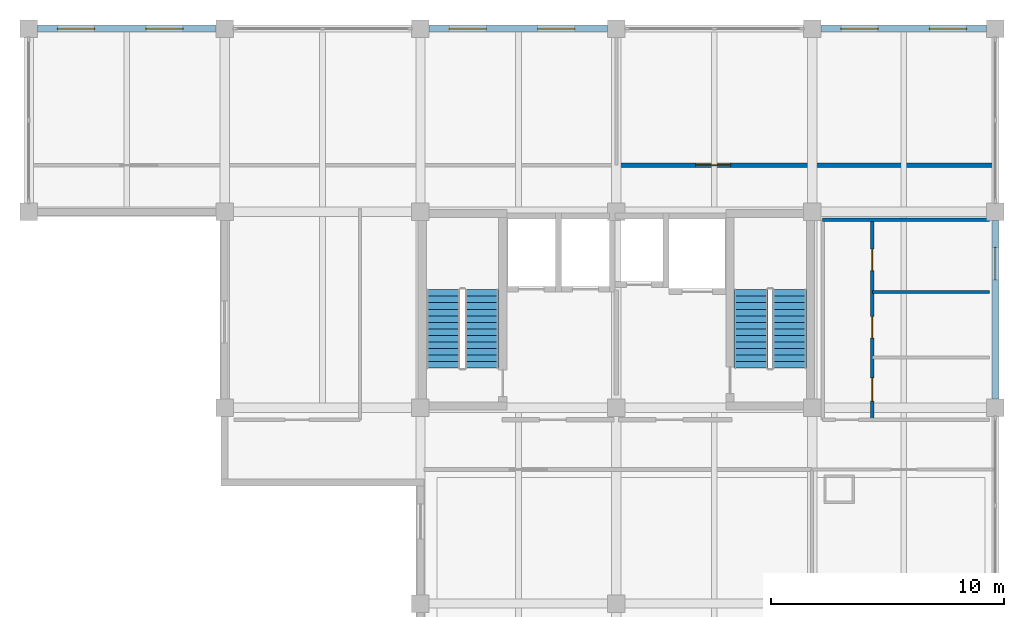
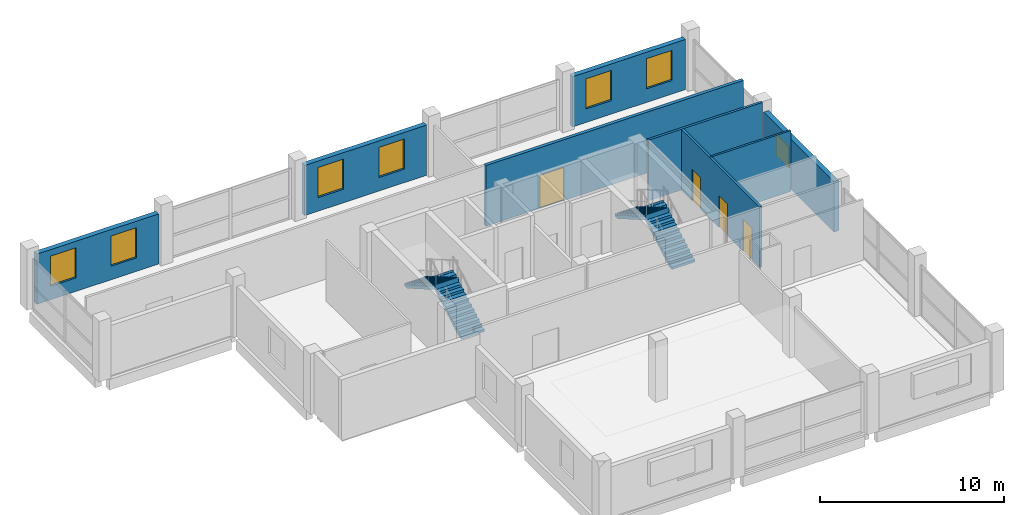
# One storey, part 8 of 9: 8 walls, 7 windows, 4 doors, 4 stair flights, 11 openings, 2 elements without a shape of their own.
"""IFC4 building model written with IfcOpenShell, lengths in metres."""

from ifc_helpers import new_model, si_unit, direction, frame, frame_2d, origin, place, context, subcontext, project, spatial, polyline, rectangle, outline, extrude, material, layer, layer_set, type_object, element, fill, aggregate, save


model = new_model("IFC4")

# Units and contexts
model_context = context("Model", 3, precision=1e-05, world=origin(), true_north=direction((0.0, 1.0)))
body_context = subcontext(model_context, "Body", "Model", "MODEL_VIEW")
ifc_project = project(units=[si_unit("LENGTHUNIT", "METRE"), si_unit("AREAUNIT", "SQUARE_METRE"), si_unit("VOLUMEUNIT", "CUBIC_METRE"), si_unit("PLANEANGLEUNIT", "RADIAN"), si_unit("MASSUNIT", "GRAM", prefix="KILO")], contexts=[model_context])

# Site, building, storey
site_placement = place(None, origin())
site = spatial("IfcSite", under=ifc_project, at=site_placement, CompositionType="ELEMENT")
building_placement = place(site_placement, origin())
building = spatial("IfcBuilding", under=site, at=building_placement, Name="Brinegate Botanical Conservatory", CompositionType="ELEMENT")
storey_placement = place(building_placement, frame((0.0, 0.0, 48.60009765625)))
storey = spatial("IfcBuildingStorey", under=building, at=storey_placement, Name="L12", CompositionType="ELEMENT", Elevation=48.60009765625)

# Wall, openings, windows
ifc_material_1 = material(Name="Insulated Minnan red clay brick masonry", Category="masonry")
ifc_layer_1 = layer(ifc_material_1, 0.300048828125, Name="Insulated Minnan red clay brick masonry", Category="masonry")
ifc_layer_set_1 = layer_set([ifc_layer_1], Name="Insulated Minnan red clay brick masonry")
wall_type_1 = type_object("IfcWallType", Name="Wall_EW-300B", PredefinedType="STANDARD", material=ifc_layer_set_1)
wall_1_placement = place(storey_placement, frame((122.375, 111.449951171875, 0.0), z_axis=(0.0, 0.0, 1.0), x_axis=(1.0, 0.0, 0.0)))
wall_1 = element("IfcWall", 1, at=wall_1_placement, inside=storey, type_object=wall_type_1, Name="Research lab north brick wall L12.1", PredefinedType="STANDARD", context=body_context, shape_type="SweptSolid", body=[
    extrude(rectangle(XDim=7.64990234375, YDim=0.300048828125, at=frame_2d((3.824951171875, 0.0))), origin(), (0.0, 0.0, 1.0), 3.329833984375),
])
opening_1_placement = place(wall_1_placement, frame((0.85009765625, 0.0, 0.89990234375)))
opening_1 = element("IfcOpeningElement", 2, at=opening_1_placement, cuts=wall_1, Name="Opening WN-12", PredefinedType="OPENING", context=body_context, shape_type="SweptSolid", body=[
    extrude(rectangle(XDim=1.60009765625, YDim=2.0, at=frame_2d((0.800048828125, 1.0))), frame((0.0, 0.159912109375, 0.0), z_axis=(0.0, -1.0, 0.0), x_axis=(1.0, 0.0, 0.0)), (0.0, 0.0, 1.0), 0.320068359375),
])
opening_2_placement = place(wall_1_placement, frame((4.64990234375, 0.0, 0.89990234375)))
opening_2 = element("IfcOpeningElement", 3, at=opening_2_placement, cuts=wall_1, Name="Opening WN-12", PredefinedType="OPENING", context=body_context, shape_type="SweptSolid", body=[
    extrude(rectangle(XDim=1.60009765625, YDim=2.0, at=frame_2d((0.800048828125, 1.0))), frame((0.0, 0.159912109375, 0.0), z_axis=(0.0, -1.0, 0.0), x_axis=(1.0, 0.0, 0.0)), (0.0, 0.0, 1.0), 0.320068359375),
])
ifc_material_2 = material(Name="Thermally broken aluminium-framed Low-E glass", Category="aluminium")
window_type_1 = type_object("IfcWindowType", Name="Win_WN-12", PartitioningType="DOUBLE_PANEL_VERTICAL", PredefinedType="WINDOW", material=ifc_material_2)
window_1_placement = place(opening_1_placement, origin())
window_1 = element("IfcWindow", 4, at=window_1_placement, inside=storey, type_object=window_type_1, Name="Research lab north window L12.1A", OverallHeight=2.0, OverallWidth=1.60009765625, PartitioningType="DOUBLE_PANEL_VERTICAL", PredefinedType="WINDOW", context=body_context, shape_type="SweptSolid", body=[
    extrude(rectangle(XDim=1.60009765625, YDim=2.0, at=frame_2d((0.800048828125, 1.0))), frame((0.0, 0.030029296875, 0.0), z_axis=(0.0, -1.0, 0.0), x_axis=(1.0, 0.0, 0.0)), (0.0, 0.0, 1.0), 0.06005859375),
])
fill(opening_1, window_1)
window_2_placement = place(opening_2_placement, origin())
window_2 = element("IfcWindow", 5, at=window_2_placement, inside=storey, type_object=window_type_1, Name="Research lab north window L12.1B", OverallHeight=2.0, OverallWidth=1.60009765625, PartitioningType="DOUBLE_PANEL_VERTICAL", PredefinedType="WINDOW", context=body_context, shape_type="SweptSolid", body=[
    extrude(rectangle(XDim=1.60009765625, YDim=2.0, at=frame_2d((0.800048828125, 1.0))), frame((0.0, 0.030029296875, 0.0), z_axis=(0.0, -1.0, 0.0), x_axis=(1.0, 0.0, 0.0)), (0.0, 0.0, 1.0), 0.06005859375),
])
fill(opening_2, window_2)

wall_2_placement = place(storey_placement, frame((139.175048828125, 111.449951171875, 0.0), z_axis=(0.0, 0.0, 1.0), x_axis=(1.0, 0.0, 0.0)))
wall_2 = element("IfcWall", 6, at=wall_2_placement, inside=storey, type_object=wall_type_1, Name="Research lab north brick wall L12.3", PredefinedType="STANDARD", context=body_context, shape_type="SweptSolid", body=[
    extrude(rectangle(XDim=7.64990234375, YDim=0.300048828125, at=frame_2d((3.824951171875, 0.0))), origin(), (0.0, 0.0, 1.0), 3.329833984375),
])
opening_3_placement = place(wall_2_placement, frame((0.85009765625, 0.0, 0.89990234375)))
opening_3 = element("IfcOpeningElement", 7, at=opening_3_placement, cuts=wall_2, Name="Opening WN-12", PredefinedType="OPENING", context=body_context, shape_type="SweptSolid", body=[
    extrude(rectangle(XDim=1.60009765625, YDim=2.0, at=frame_2d((0.800048828125, 1.0))), frame((0.0, 0.159912109375, 0.0), z_axis=(0.0, -1.0, 0.0), x_axis=(1.0, 0.0, 0.0)), (0.0, 0.0, 1.0), 0.320068359375),
])
opening_4_placement = place(wall_2_placement, frame((4.64990234375, 0.0, 0.89990234375)))
opening_4 = element("IfcOpeningElement", 8, at=opening_4_placement, cuts=wall_2, Name="Opening WN-12", PredefinedType="OPENING", context=body_context, shape_type="SweptSolid", body=[
    extrude(rectangle(XDim=1.60009765625, YDim=2.0, at=frame_2d((0.800048828125, 1.0))), frame((0.0, 0.159912109375, 0.0), z_axis=(0.0, -1.0, 0.0), x_axis=(1.0, 0.0, 0.0)), (0.0, 0.0, 1.0), 0.320068359375),
])
window_3_placement = place(opening_3_placement, origin())
window_3 = element("IfcWindow", 9, at=window_3_placement, inside=storey, type_object=window_type_1, Name="Research lab north window L12.3A", OverallHeight=2.0, OverallWidth=1.60009765625, PartitioningType="DOUBLE_PANEL_VERTICAL", PredefinedType="WINDOW", context=body_context, shape_type="SweptSolid", body=[
    extrude(rectangle(XDim=1.60009765625, YDim=2.0, at=frame_2d((0.800048828125, 1.0))), frame((0.0, 0.030029296875, 0.0), z_axis=(0.0, -1.0, 0.0), x_axis=(1.0, 0.0, 0.0)), (0.0, 0.0, 1.0), 0.06005859375),
])
fill(opening_3, window_3)
window_4_placement = place(opening_4_placement, origin())
window_4 = element("IfcWindow", 10, at=window_4_placement, inside=storey, type_object=window_type_1, Name="Research lab north window L12.3B", OverallHeight=2.0, OverallWidth=1.60009765625, PartitioningType="DOUBLE_PANEL_VERTICAL", PredefinedType="WINDOW", context=body_context, shape_type="SweptSolid", body=[
    extrude(rectangle(XDim=1.60009765625, YDim=2.0, at=frame_2d((0.800048828125, 1.0))), frame((0.0, 0.030029296875, 0.0), z_axis=(0.0, -1.0, 0.0), x_axis=(1.0, 0.0, 0.0)), (0.0, 0.0, 1.0), 0.06005859375),
])
fill(opening_4, window_4)

wall_3_placement = place(storey_placement, frame((155.97509765625, 111.449951171875, 0.0), z_axis=(0.0, 0.0, 1.0), x_axis=(1.0, 0.0, 0.0)))
wall_3 = element("IfcWall", 11, at=wall_3_placement, inside=storey, type_object=wall_type_1, Name="Research lab north brick wall L12.5", PredefinedType="STANDARD", context=body_context, shape_type="SweptSolid", body=[
    extrude(rectangle(XDim=7.099853515625, YDim=0.300048828125, at=frame_2d((3.5498046875, 0.0))), origin(), (0.0, 0.0, 1.0), 3.329833984375),
])
opening_5_placement = place(wall_3_placement, frame((0.85009765625, 0.0, 0.89990234375)))
opening_5 = element("IfcOpeningElement", 12, at=opening_5_placement, cuts=wall_3, Name="Opening WN-12", PredefinedType="OPENING", context=body_context, shape_type="SweptSolid", body=[
    extrude(rectangle(XDim=1.60009765625, YDim=2.0, at=frame_2d((0.800048828125, 1.0))), frame((0.0, 0.159912109375, 0.0), z_axis=(0.0, -1.0, 0.0), x_axis=(1.0, 0.0, 0.0)), (0.0, 0.0, 1.0), 0.320068359375),
])
opening_6_placement = place(wall_3_placement, frame((4.64990234375, 0.0, 0.89990234375)))
opening_6 = element("IfcOpeningElement", 13, at=opening_6_placement, cuts=wall_3, Name="Opening WN-12", PredefinedType="OPENING", context=body_context, shape_type="SweptSolid", body=[
    extrude(rectangle(XDim=1.60009765625, YDim=2.0, at=frame_2d((0.800048828125, 1.0))), frame((0.0, 0.159912109375, 0.0), z_axis=(0.0, -1.0, 0.0), x_axis=(1.0, 0.0, 0.0)), (0.0, 0.0, 1.0), 0.320068359375),
])
window_5_placement = place(opening_5_placement, origin())
window_5 = element("IfcWindow", 14, at=window_5_placement, inside=storey, type_object=window_type_1, Name="Research lab north window L12.5A", OverallHeight=2.0, OverallWidth=1.60009765625, PartitioningType="DOUBLE_PANEL_VERTICAL", PredefinedType="WINDOW", context=body_context, shape_type="SweptSolid", body=[
    extrude(rectangle(XDim=1.60009765625, YDim=2.0, at=frame_2d((0.800048828125, 1.0))), frame((0.0, 0.030029296875, 0.0), z_axis=(0.0, -1.0, 0.0), x_axis=(1.0, 0.0, 0.0)), (0.0, 0.0, 1.0), 0.06005859375),
])
fill(opening_5, window_5)
window_6_placement = place(opening_6_placement, origin())
window_6 = element("IfcWindow", 15, at=window_6_placement, inside=storey, type_object=window_type_1, Name="Research lab north window L12.5B", OverallHeight=2.0, OverallWidth=1.60009765625, PartitioningType="DOUBLE_PANEL_VERTICAL", PredefinedType="WINDOW", context=body_context, shape_type="SweptSolid", body=[
    extrude(rectangle(XDim=1.60009765625, YDim=2.0, at=frame_2d((0.800048828125, 1.0))), frame((0.0, 0.030029296875, 0.0), z_axis=(0.0, -1.0, 0.0), x_axis=(1.0, 0.0, 0.0)), (0.0, 0.0, 1.0), 0.06005859375),
])
fill(opening_6, window_6)

# Wall, opening, window
wall_4_placement = place(storey_placement, frame((163.449951171875, 103.22509765625, 0.0), z_axis=(0.0, 0.0, 1.0), x_axis=(0.0, -1.0, 0.0)))
wall_4 = element("IfcWall", 16, at=wall_4_placement, inside=storey, type_object=wall_type_1, Name="Tower east brick wall L12.3", PredefinedType="STANDARD", context=body_context, shape_type="SweptSolid", body=[
    extrude(rectangle(XDim=7.650146484375, YDim=0.300048828125, at=frame_2d((3.8251953125, 0.0))), origin(), (0.0, 0.0, 1.0), 3.329833984375),
])
opening_7_placement = place(wall_4_placement, frame((1.14990234375, 0.0, 1.10009765625)))
opening_7 = element("IfcOpeningElement", 17, at=opening_7_placement, cuts=wall_4, Name="Opening WN-16", PredefinedType="OPENING", context=body_context, shape_type="SweptSolid", body=[
    extrude(rectangle(XDim=1.39990234375, YDim=1.39990234375, at=frame_2d((0.699951171875, 0.699951171875))), frame((0.0, 0.159912109375, 0.0), z_axis=(0.0, -1.0, 0.0), x_axis=(1.0, 0.0, 0.0)), (0.0, 0.0, 1.0), 0.320068359375),
])
window_type_2 = type_object("IfcWindowType", Name="Win_WN-16", PartitioningType="SINGLE_PANEL", PredefinedType="WINDOW", material=ifc_material_2)
window_7_placement = place(opening_7_placement, origin())
window_7 = element("IfcWindow", 18, at=window_7_placement, inside=storey, type_object=window_type_2, Name="Tower east window L12.3", OverallHeight=1.39990234375, OverallWidth=1.39990234375, PartitioningType="SINGLE_PANEL", PredefinedType="WINDOW", context=body_context, shape_type="SweptSolid", body=[
    extrude(rectangle(XDim=1.39990234375, YDim=1.39990234375, at=frame_2d((0.699951171875, 0.699951171875))), frame((0.0, 0.030029296875, 0.0), z_axis=(0.0, -1.0, 0.0), x_axis=(1.0, 0.0, 0.0)), (0.0, 0.0, 1.0), 0.06005859375),
])
fill(opening_7, window_7)

# Wall
ifc_material_3 = material(Name="Gypsum-clad steel-stud partition", Category="steel")
ifc_layer_2 = layer(ifc_material_3, 0.1279296875, Name="Gypsum-clad steel-stud partition", Category="steel")
ifc_layer_set_2 = layer_set([ifc_layer_2], Name="Gypsum-clad steel-stud partition")
wall_type_2 = type_object("IfcWallType", Name="Wall_PW-128", PredefinedType="PARTITIONING", material=ifc_layer_set_2)
wall_5_placement = place(storey_placement, frame((158.179931640625, 100.14990234375, 0.0), z_axis=(0.0, 0.0, 1.0), x_axis=(1.0, 0.0, 0.0)))
element("IfcWall", 19, at=wall_5_placement, inside=storey, type_object=wall_type_2, Name="Interior partition P-L12-WCD-10015", PredefinedType="PARTITIONING", context=body_context, shape_type="SweptSolid", body=[
    extrude(rectangle(XDim=5.02001953125, YDim=0.1279296875, at=frame_2d((2.510009765625, 0.0))), origin(), (0.0, 0.0, 1.0), 4.02978515625),
])

# Wall, openings, doors
ifc_material_4 = material(Name="Moisture-resistant cement-board partition", Category="gypsum")
ifc_layer_3 = layer(ifc_material_4, 0.14990234375, Name="Moisture-resistant cement-board partition", Category="gypsum")
ifc_layer_set_3 = layer_set([ifc_layer_3], Name="Moisture-resistant cement-board partition")
wall_type_3 = type_object("IfcWallType", Name="Wall_PW-150W", PredefinedType="PARTITIONING", material=ifc_layer_set_3)
wall_6_placement = place(storey_placement, frame((158.179931640625, 94.679931640625, 0.0), z_axis=(0.0, 0.0, 1.0), x_axis=(0.0, 1.0, 0.0)))
wall_6 = element("IfcWall", 20, at=wall_6_placement, inside=storey, type_object=wall_type_3, Name="Interior partition P-L12-WCW", PredefinedType="PARTITIONING", context=body_context, shape_type="SweptSolid", body=[
    extrude(rectangle(XDim=8.570068359375, YDim=0.14990234375, at=frame_2d((4.28515625, 0.0))), origin(), (0.0, 0.0, 1.0), 4.02978515625),
])
opening_8_placement = place(wall_6_placement, frame((0.800048828125, 0.0, 0.0)))
opening_8 = element("IfcOpeningElement", 21, at=opening_8_placement, cuts=wall_6, Name="Opening DR-ACC", PredefinedType="OPENING", context=body_context, shape_type="SweptSolid", body=[
    extrude(rectangle(XDim=1.0, YDim=2.1201171875, at=frame_2d((0.5, 1.06005859375))), frame((0.0, 0.0849609375, 0.0), z_axis=(0.0, -1.0, 0.0), x_axis=(1.0, 0.0, 0.0)), (0.0, 0.0, 1.0), 0.169921875),
])
opening_9_placement = place(wall_6_placement, frame((3.5, 0.0, 0.0)))
opening_9 = element("IfcOpeningElement", 22, at=opening_9_placement, cuts=wall_6, Name="Opening DR-04", PredefinedType="OPENING", context=body_context, shape_type="SweptSolid", body=[
    extrude(rectangle(XDim=0.919921875, YDim=2.10009765625, at=frame_2d((0.4599609375, 1.050048828125))), frame((0.0, 0.0849609375, 0.0), z_axis=(0.0, -1.0, 0.0), x_axis=(1.0, 0.0, 0.0)), (0.0, 0.0, 1.0), 0.169921875),
])
opening_10_placement = place(wall_6_placement, frame((6.39990234375, 0.0, 0.0)))
opening_10 = element("IfcOpeningElement", 23, at=opening_10_placement, cuts=wall_6, Name="Opening DR-04", PredefinedType="OPENING", context=body_context, shape_type="SweptSolid", body=[
    extrude(rectangle(XDim=0.919921875, YDim=2.10009765625, at=frame_2d((0.4599609375, 1.050048828125))), frame((0.0, 0.0849609375, 0.0), z_axis=(0.0, -1.0, 0.0), x_axis=(1.0, 0.0, 0.0)), (0.0, 0.0, 1.0), 0.169921875),
])
ifc_material_5 = material(Name="Moisture-resistant laminate timber leaf", Category="wood")
door_type_1 = type_object("IfcDoorType", Name="Door_DR-04", OperationType="NOTDEFINED", PredefinedType="DOOR", material=ifc_material_5)
door_1_placement = place(opening_9_placement, origin())
door_1 = element("IfcDoor", 24, at=door_1_placement, inside=storey, type_object=door_type_1, Name="DR-P-L12-WCW-2", OperationType="SINGLE_SWING_RIGHT", OverallHeight=2.10009765625, OverallWidth=0.919921875, PredefinedType="DOOR", context=body_context, shape_type="SweptSolid", body=[
    extrude(rectangle(XDim=0.919921875, YDim=2.10009765625, at=frame_2d((0.4599609375, 1.050048828125))), frame((0.0, 0.02490234375, 0.0), z_axis=(0.0, -1.0, 0.0), x_axis=(1.0, 0.0, 0.0)), (0.0, 0.0, 1.0), 0.050048828125),
])
fill(opening_9, door_1)
door_2_placement = place(opening_10_placement, origin())
door_2 = element("IfcDoor", 25, at=door_2_placement, inside=storey, type_object=door_type_1, Name="DR-P-L12-WCW-3", OperationType="SINGLE_SWING_LEFT", OverallHeight=2.10009765625, OverallWidth=0.919921875, PredefinedType="DOOR", context=body_context, shape_type="SweptSolid", body=[
    extrude(rectangle(XDim=0.919921875, YDim=2.10009765625, at=frame_2d((0.4599609375, 1.050048828125))), frame((0.0, 0.02490234375, 0.0), z_axis=(0.0, -1.0, 0.0), x_axis=(1.0, 0.0, 0.0)), (0.0, 0.0, 1.0), 0.050048828125),
])
fill(opening_10, door_2)
ifc_material_6 = material(Name="Moisture-resistant barrier-free timber leaf", Category="wood")
door_type_2 = type_object("IfcDoorType", Name="Door_DR-ACC", OperationType="NOTDEFINED", PredefinedType="DOOR", material=ifc_material_6)
door_3_placement = place(opening_8_placement, origin())
door_3 = element("IfcDoor", 26, at=door_3_placement, inside=storey, type_object=door_type_2, Name="DR-P-L12-WCW-1", OperationType="SINGLE_SWING_LEFT", OverallHeight=2.1201171875, OverallWidth=1.0, PredefinedType="DOOR", context=body_context, shape_type="SweptSolid", body=[
    extrude(rectangle(XDim=1.0, YDim=2.1201171875, at=frame_2d((0.5, 1.06005859375))), frame((0.0, 0.02490234375, 0.0), z_axis=(0.0, -1.0, 0.0), x_axis=(1.0, 0.0, 0.0)), (0.0, 0.0, 1.0), 0.050048828125),
])
fill(opening_8, door_3)

# Wall
wall_7_placement = place(storey_placement, frame((156.050048828125, 103.25, 0.0), z_axis=(0.0, 0.0, 1.0), x_axis=(1.0, 0.0, 0.0)))
element("IfcWall", 27, at=wall_7_placement, inside=storey, type_object=wall_type_3, Name="Interior partition P-L12-WCN", PredefinedType="PARTITIONING", context=body_context, shape_type="SweptSolid", body=[
    extrude(rectangle(XDim=7.14990234375, YDim=0.14990234375, at=frame_2d((3.574951171875, 0.0))), origin(), (0.0, 0.0, 1.0), 4.02978515625),
])

# Wall, opening, door
ifc_material_7 = material(Name="Autoclaved aerated concrete C40/50 blockwork", Category="masonry")
ifc_layer_4 = layer(ifc_material_7, 0.199951171875, Name="Autoclaved aerated concrete C40/50 blockwork", Category="masonry")
ifc_layer_set_4 = layer_set([ifc_layer_4], Name="Autoclaved aerated concrete C40/50 blockwork")
wall_type_4 = type_object("IfcWallType", Name="Wall_PW-200F", PredefinedType="SOLIDWALL", material=ifc_layer_set_4)
wall_8_placement = place(storey_placement, frame((147.199951171875, 105.60009765625, 0.0), z_axis=(0.0, 0.0, 1.0), x_axis=(1.0, 0.0, 0.0)))
wall_8 = element("IfcWall", 28, at=wall_8_placement, inside=storey, type_object=wall_type_4, Name="Interior partition P-L12-NB-N2", PredefinedType="SOLIDWALL", context=body_context, shape_type="SweptSolid", body=[
    extrude(rectangle(XDim=16.150146484375, YDim=0.199951171875, at=frame_2d((8.0751953125, 0.0))), origin(), (0.0, 0.0, 1.0), 4.02978515625),
])
opening_11_placement = place(wall_8_placement, frame((3.39990234375, 0.0, 0.0)))
opening_11 = element("IfcOpeningElement", 29, at=opening_11_placement, cuts=wall_8, Name="Opening FD-A2", PredefinedType="OPENING", context=body_context, shape_type="SweptSolid", body=[
    extrude(rectangle(XDim=1.5, YDim=2.199951171875, at=frame_2d((0.75, 1.10009765625))), frame((0.0, 0.10986328125, 0.0), z_axis=(0.0, -1.0, 0.0), x_axis=(1.0, 0.0, 0.0)), (0.0, 0.0, 1.0), 0.219970703125),
])
ifc_material_8 = material(Name="Steel fire-rated double-leaf assembly", Category="steel")
door_type_3 = type_object("IfcDoorType", Name="Door_FD-A2", OperationType="NOTDEFINED", PredefinedType="DOOR", material=ifc_material_8)
door_4_placement = place(opening_11_placement, origin())
door_4 = element("IfcDoor", 30, at=door_4_placement, inside=storey, type_object=door_type_3, Name="DR-P-L12-NB-N2-1", OperationType="SINGLE_SWING_RIGHT", OverallHeight=2.199951171875, OverallWidth=1.5, PredefinedType="DOOR", context=body_context, shape_type="SweptSolid", body=[
    extrude(rectangle(XDim=1.5, YDim=2.199951171875, at=frame_2d((0.75, 1.10009765625))), frame((0.0, 0.02490234375, 0.0), z_axis=(0.0, -1.0, 0.0), x_axis=(1.0, 0.0, 0.0)), (0.0, 0.0, 1.0), 0.050048828125),
])
fill(opening_11, door_4)

# Stair, stair flights
ifc_material_9 = material(Name="Concrete C40/50", Category="concrete")
stair_type = type_object("IfcStairType", Name="Stair_HT-4200", PredefinedType="HALF_TURN_STAIR", material=ifc_material_9)
stair_1_placement = place(storey_placement, origin())
stair_1 = element("IfcStair", 31, at=stair_1_placement, inside=storey, type_object=stair_type, Name="L12 Tower West Smoke-Proof Stair ST1", PredefinedType="HALF_TURN_STAIR")
stair_flight_type = type_object("IfcStairFlightType", Name="Flight_SF-4200", PredefinedType="STRAIGHT", material=ifc_material_9)
stair_flight_1_placement = place(storey_placement, frame((141.425048828125, 96.89990234375, 0.0), z_axis=(0.0, 0.0, 1.0), x_axis=(0.0, 1.0, 0.0)))
stair_flight_1 = element("IfcStairFlight", 32, at=stair_flight_1_placement, type_object=stair_flight_type, Name="ST1 flight 1", NumberOfRisers=13, NumberOfTreads=12, PredefinedType="STRAIGHT", RiserHeight=0.161538462, TreadLength=0.28, context=body_context, shape_type="SweptSolid", body=[
    extrude(outline(polyline([(-0.00048828125, 0.0), (-0.00048828125, 0.16162109375), (0.280029296875, 0.16162109375), (0.280029296875, 0.322998046875), (0.56005859375, 0.322998046875), (0.56005859375, 0.484619140625), (0.840087890625, 0.484619140625), (0.840087890625, 0.646240234375), (1.1201171875, 0.646240234375), (1.1201171875, 0.8076171875), (1.39990234375, 0.8076171875), (1.39990234375, 0.96923828125), (1.679931640625, 0.96923828125), (1.679931640625, 1.130859375), (1.9599609375, 1.130859375), (1.9599609375, 1.292236328125), (2.239990234375, 1.292236328125), (2.239990234375, 1.453857421875), (2.52001953125, 1.453857421875), (2.52001953125, 1.615478515625), (2.800048828125, 1.615478515625), (2.800048828125, 1.77685546875), (3.080078125, 1.77685546875), (3.080078125, 1.9384765625), (3.360107421875, 1.9384765625), (3.360107421875, 2.10009765625), (3.360595703125, 2.10009765625), (3.360595703125, 1.765380859375), (0.300048828125, 0.0), (-0.00048828125, 0.0)])), frame((0.0, 0.72509765625, 0.0), z_axis=(0.0, -1.0, 0.0), x_axis=(1.0, 0.0, 0.0)), (0.0, 0.0, 1.0), 1.449951171875),
])
stair_flight_2_placement = place(storey_placement, frame((139.77490234375, 100.260009765625, 2.099853515625), z_axis=(0.0, 0.0, 1.0), x_axis=(0.0, -1.0, 0.0)))
stair_flight_2 = element("IfcStairFlight", 33, at=stair_flight_2_placement, type_object=stair_flight_type, Name="ST1 flight 2", NumberOfRisers=13, NumberOfTreads=12, PredefinedType="STRAIGHT", RiserHeight=0.161538462, TreadLength=0.28, context=body_context, shape_type="SweptSolid", body=[
    extrude(outline(polyline([(-0.00048828125, 0.0), (-0.00048828125, 0.16162109375), (0.280029296875, 0.16162109375), (0.280029296875, 0.322998046875), (0.56005859375, 0.322998046875), (0.56005859375, 0.484619140625), (0.840087890625, 0.484619140625), (0.840087890625, 0.646240234375), (1.1201171875, 0.646240234375), (1.1201171875, 0.8076171875), (1.39990234375, 0.8076171875), (1.39990234375, 0.96923828125), (1.679931640625, 0.96923828125), (1.679931640625, 1.130859375), (1.9599609375, 1.130859375), (1.9599609375, 1.292236328125), (2.239990234375, 1.292236328125), (2.239990234375, 1.453857421875), (2.52001953125, 1.453857421875), (2.52001953125, 1.615478515625), (2.800048828125, 1.615478515625), (2.800048828125, 1.77685546875), (3.080078125, 1.77685546875), (3.080078125, 1.9384765625), (3.360107421875, 1.9384765625), (3.360107421875, 2.10009765625), (3.360595703125, 2.10009765625), (3.360595703125, 1.765380859375), (0.300048828125, 0.0), (-0.00048828125, 0.0)])), frame((0.0, 0.72509765625, 0.0), z_axis=(0.0, -1.0, 0.0), x_axis=(1.0, 0.0, 0.0)), (0.0, 0.0, 1.0), 1.449951171875),
])
aggregate(stair_1, [stair_flight_1, stair_flight_2])

stair_2_placement = place(storey_placement, origin())
stair_2 = element("IfcStair", 34, at=stair_2_placement, inside=storey, type_object=stair_type, Name="L12 Tower East Smoke-Proof Stair ST2", PredefinedType="HALF_TURN_STAIR")
stair_flight_3_placement = place(storey_placement, frame((154.625, 96.89990234375, 0.0), z_axis=(0.0, 0.0, 1.0), x_axis=(0.0, 1.0, 0.0)))
stair_flight_3 = element("IfcStairFlight", 35, at=stair_flight_3_placement, type_object=stair_flight_type, Name="ST2 flight 1", NumberOfRisers=13, NumberOfTreads=12, PredefinedType="STRAIGHT", RiserHeight=0.161538462, TreadLength=0.28, context=body_context, shape_type="SweptSolid", body=[
    extrude(outline(polyline([(-0.00048828125, 0.0), (-0.00048828125, 0.16162109375), (0.280029296875, 0.16162109375), (0.280029296875, 0.322998046875), (0.56005859375, 0.322998046875), (0.56005859375, 0.484619140625), (0.840087890625, 0.484619140625), (0.840087890625, 0.646240234375), (1.1201171875, 0.646240234375), (1.1201171875, 0.8076171875), (1.39990234375, 0.8076171875), (1.39990234375, 0.96923828125), (1.679931640625, 0.96923828125), (1.679931640625, 1.130859375), (1.9599609375, 1.130859375), (1.9599609375, 1.292236328125), (2.239990234375, 1.292236328125), (2.239990234375, 1.453857421875), (2.52001953125, 1.453857421875), (2.52001953125, 1.615478515625), (2.800048828125, 1.615478515625), (2.800048828125, 1.77685546875), (3.080078125, 1.77685546875), (3.080078125, 1.9384765625), (3.360107421875, 1.9384765625), (3.360107421875, 2.10009765625), (3.360595703125, 2.10009765625), (3.360595703125, 1.765380859375), (0.300048828125, 0.0), (-0.00048828125, 0.0)])), frame((0.0, 0.72509765625, 0.0), z_axis=(0.0, -1.0, 0.0), x_axis=(1.0, 0.0, 0.0)), (0.0, 0.0, 1.0), 1.449951171875),
])
stair_flight_4_placement = place(storey_placement, frame((152.97509765625, 100.260009765625, 2.099853515625), z_axis=(0.0, 0.0, 1.0), x_axis=(0.0, -1.0, 0.0)))
stair_flight_4 = element("IfcStairFlight", 36, at=stair_flight_4_placement, type_object=stair_flight_type, Name="ST2 flight 2", NumberOfRisers=13, NumberOfTreads=12, PredefinedType="STRAIGHT", RiserHeight=0.161538462, TreadLength=0.28, context=body_context, shape_type="SweptSolid", body=[
    extrude(outline(polyline([(-0.00048828125, 0.0), (-0.00048828125, 0.16162109375), (0.280029296875, 0.16162109375), (0.280029296875, 0.322998046875), (0.56005859375, 0.322998046875), (0.56005859375, 0.484619140625), (0.840087890625, 0.484619140625), (0.840087890625, 0.646240234375), (1.1201171875, 0.646240234375), (1.1201171875, 0.8076171875), (1.39990234375, 0.8076171875), (1.39990234375, 0.96923828125), (1.679931640625, 0.96923828125), (1.679931640625, 1.130859375), (1.9599609375, 1.130859375), (1.9599609375, 1.292236328125), (2.239990234375, 1.292236328125), (2.239990234375, 1.453857421875), (2.52001953125, 1.453857421875), (2.52001953125, 1.615478515625), (2.800048828125, 1.615478515625), (2.800048828125, 1.77685546875), (3.080078125, 1.77685546875), (3.080078125, 1.9384765625), (3.360107421875, 1.9384765625), (3.360107421875, 2.10009765625), (3.360595703125, 2.10009765625), (3.360595703125, 1.765380859375), (0.300048828125, 0.0), (-0.00048828125, 0.0)])), frame((0.0, 0.72509765625, 0.0), z_axis=(0.0, -1.0, 0.0), x_axis=(1.0, 0.0, 0.0)), (0.0, 0.0, 1.0), 1.449951171875),
])
aggregate(stair_2, [stair_flight_3, stair_flight_4])

save(model, "model.ifc")
